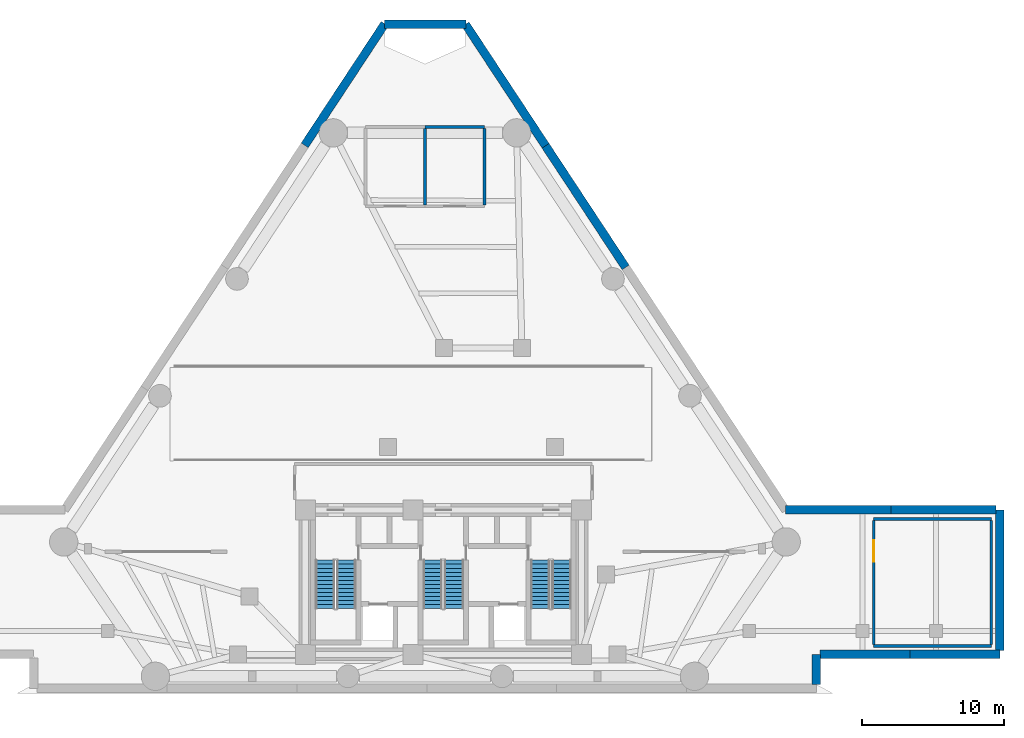
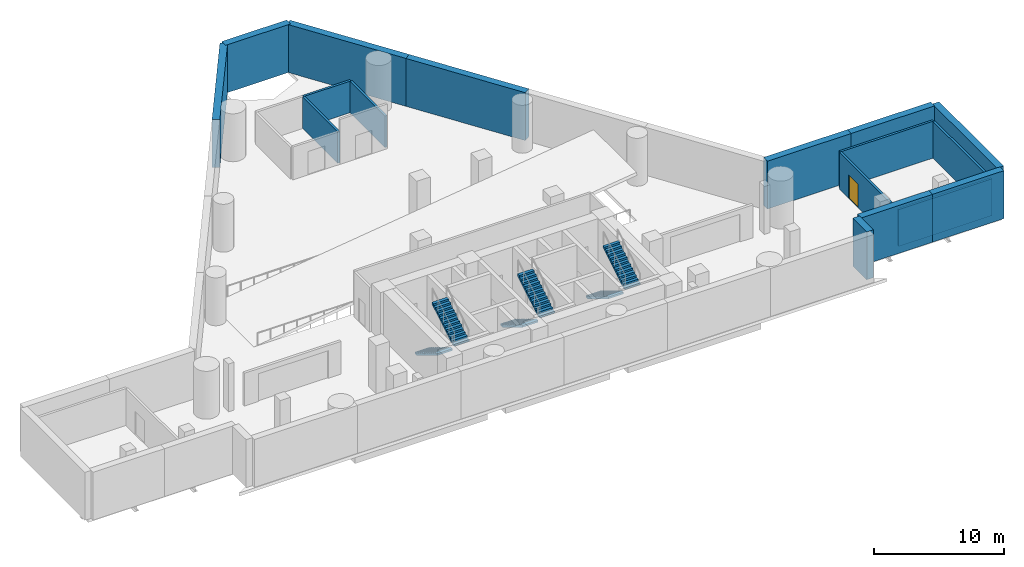
# One storey, part 4 of 6: 17 walls, 6 stair flights, 1 door, 1 opening, 3 elements without a shape of their own.
"""IFC4 building model written with IfcOpenShell, lengths in metres."""

from ifc_helpers import new_model, si_unit, direction, frame, frame_2d, origin, place, context, subcontext, project, spatial, polyline, rectangle, outline, extrude, material, layer, layer_set, type_object, element, fill, aggregate, save


model = new_model("IFC4")

# Units and contexts
model_context = context("Model", 3, precision=1e-05, world=origin(), true_north=direction((0.0, 1.0)))
body_context = subcontext(model_context, "Body", "Model", "MODEL_VIEW")
ifc_project = project(units=[si_unit("LENGTHUNIT", "METRE"), si_unit("AREAUNIT", "SQUARE_METRE"), si_unit("VOLUMEUNIT", "CUBIC_METRE"), si_unit("PLANEANGLEUNIT", "RADIAN"), si_unit("MASSUNIT", "GRAM", prefix="KILO")], contexts=[model_context])

# Site, building, storey
site_placement = place(None, origin())
site = spatial("IfcSite", under=ifc_project, at=site_placement, CompositionType="ELEMENT")
building_placement = place(site_placement, origin())
building = spatial("IfcBuilding", under=site, at=building_placement, Name="Almagre Mirador Tower", CompositionType="ELEMENT")
storey_placement = place(building_placement, frame((0.0, 0.0, -4.5)))
storey = spatial("IfcBuildingStorey", under=building, at=storey_placement, Name="B01", CompositionType="ELEMENT", Elevation=-4.5)

# Walls
ifc_material_1 = material(Name="Gypsum acoustic stud partition", Category="other")
ifc_layer_1 = layer(ifc_material_1, 0.199951171875)
ifc_layer_set_1 = layer_set([ifc_layer_1], Name="Gypsum acoustic stud partition")
wall_type_1 = type_object("IfcWallType", Name="WAL-PRT-200-EI60", PredefinedType="PARTITIONING", material=ifc_layer_set_1)
for number, where, z_axis, x_axis, name in (
    (1, (67.699951171875, 5.14990234375, 0.0), (0.0, 0.0, 1.0), (1.0, 0.0, 0.0), "B01 East Primary Switchgear Plant Room S fire partition"),
    (2, (67.699951171875, 14.10009765625, 0.0), (0.0, 0.0, 1.0), (1.0, 0.0, 0.0), "B01 East Primary Switchgear Plant Room N fire partition"),
):
    element("IfcWall", number, at=place(storey_placement, frame(where, z_axis=z_axis, x_axis=x_axis)), inside=storey, type_object=wall_type_1, Name=name, PredefinedType="PARTITIONING", context=body_context, shape_type="SweptSolid", body=[
        extrude(rectangle(XDim=8.300048828125, YDim=0.199951171875, at=frame_2d((4.14990234375, 0.0))), origin(), (0.0, 0.0, 1.0), 3.464111328125),
    ])

# Wall, opening, door
wall_1_placement = place(storey_placement, frame((67.699951171875, 5.2548828125, 0.0), z_axis=(0.0, 0.0, 1.0), x_axis=(0.0, 1.0, 0.0)))
wall_1 = element("IfcWall", 3, at=wall_1_placement, inside=storey, type_object=wall_type_1, Name="B01 East Primary Switchgear Plant Room W fire partition", PredefinedType="PARTITIONING", context=body_context, shape_type="SweptSolid", body=[
    extrude(rectangle(XDim=8.740234375, YDim=0.199951171875, at=frame_2d((4.3701171875, 0.0))), origin(), (0.0, 0.0, 1.0), 3.464111328125),
])
opening_placement = place(wall_1_placement, frame((5.844970703125, 0.0, 0.0)))
opening = element("IfcOpeningElement", 4, at=opening_placement, cuts=wall_1, Name="Opening ID-04", PredefinedType="OPENING", context=body_context, shape_type="SweptSolid", body=[
    extrude(rectangle(XDim=1.5, YDim=2.199951171875, at=frame_2d((0.75, 1.10009765625))), frame((0.0, 0.110098, 0.0), z_axis=(0.0, -1.0, 0.0), x_axis=(1.0, 0.0, 0.0)), (0.0, 0.0, 1.0), 0.219951),
])
ifc_material_2 = material(Name="Fire-rated hollow steel", Category="steel")
door_type = type_object("IfcDoorType", Name="DOR-FD60-1500X2200", OperationType="DOUBLE_DOOR_SINGLE_SWING", PredefinedType="DOOR", material=ifc_material_2)
door_placement = place(opening_placement, origin())
door = element("IfcDoor", 5, at=door_placement, inside=storey, type_object=door_type, Name="DR-0019 B01 East Primary Switchgear Plant Room double fire door", OperationType="DOUBLE_DOOR_SINGLE_SWING", OverallHeight=2.199951171875, OverallWidth=1.5, PredefinedType="DOOR", context=body_context, shape_type="SweptSolid", body=[
    extrude(rectangle(XDim=1.5, YDim=2.199951171875, at=frame_2d((0.75, 1.10009765625))), frame((0.0, 0.02490234375, 0.0), z_axis=(0.0, -1.0, 0.0), x_axis=(1.0, 0.0, 0.0)), (0.0, 0.0, 1.0), 0.050048828125),
])
fill(opening, door)

# Walls
wall_2_placement = place(storey_placement, frame((76.0, 5.2548828125, 0.0), z_axis=(0.0, 0.0, 1.0), x_axis=(0.0, 1.0, 0.0)))
element("IfcWall", 6, at=wall_2_placement, inside=storey, type_object=wall_type_1, Name="B01 East Primary Switchgear Plant Room E fire partition", PredefinedType="PARTITIONING", context=body_context, shape_type="SweptSolid", body=[
    extrude(rectangle(XDim=8.740234375, YDim=0.199951171875, at=frame_2d((4.3701171875, 0.0))), origin(), (0.0, 0.0, 1.0), 3.464111328125),
])
wall_3_placement = place(storey_placement, frame((36.0, 36.304931640625, 0.0), z_axis=(0.0, 0.0, 1.0), x_axis=(0.0, 1.0, 0.0)))
element("IfcWall", 7, at=wall_3_placement, inside=storey, type_object=wall_type_1, Name="B01 Main Electrical Substation Room E fire partition", PredefinedType="PARTITIONING", context=body_context, shape_type="SweptSolid", body=[
    extrude(rectangle(XDim=5.39013671875, YDim=0.199951171875, at=frame_2d((2.695068359375, 0.0))), origin(), (0.0, 0.0, 1.0), 2.969970703125),
])
wall_4_placement = place(storey_placement, frame((36.0, 41.800048828125, 0.0), z_axis=(0.0, 0.0, 1.0), x_axis=(1.0, 0.0, 0.0)))
element("IfcWall", 8, at=wall_4_placement, inside=storey, type_object=wall_type_1, Name="B01 Emergency Standby Generator Room N fire partition", PredefinedType="PARTITIONING", context=body_context, shape_type="SweptSolid", body=[
    extrude(rectangle(XDim=4.199951171875, YDim=0.199951171875, at=frame_2d((2.10009765625, 0.0))), origin(), (0.0, 0.0, 1.0), 2.969970703125),
])
wall_5_placement = place(storey_placement, frame((40.199951171875, 36.304931640625, 0.0), z_axis=(0.0, 0.0, 1.0), x_axis=(0.0, 1.0, 0.0)))
element("IfcWall", 9, at=wall_5_placement, inside=storey, type_object=wall_type_1, Name="B01 Emergency Standby Generator Room E fire partition", PredefinedType="PARTITIONING", context=body_context, shape_type="SweptSolid", body=[
    extrude(rectangle(XDim=5.39013671875, YDim=0.199951171875, at=frame_2d((2.695068359375, 0.0))), origin(), (0.0, 0.0, 1.0), 2.969970703125),
])
ifc_material_3 = material(Name="Concrete C50/60", Category="concrete")
ifc_layer_2 = layer(ifc_material_3, 0.60009765625)
ifc_layer_set_2 = layer_set([ifc_layer_2], Name="Concrete C50/60")
wall_type_2 = type_object("IfcWallType", Name="WAL-RET-600", PredefinedType="USERDEFINED", material=ifc_layer_set_2)
wall_6_placement = place(storey_placement, frame((33.160888671875, 49.09130859375, 0.0), z_axis=(0.0, 0.0, 1.0), x_axis=(-0.550215159777, -0.835022920614, 0.0)))
element("IfcWall", 10, at=wall_6_placement, inside=storey, type_object=wall_type_2, Name="B01 perimeter retaining wall 01.1", ObjectType="RETAININGWALL", PredefinedType="USERDEFINED", context=body_context, shape_type="SweptSolid", body=[
    extrude(rectangle(XDim=10.281494140625, YDim=0.60009765625, at=frame_2d((5.140625, 0.0))), origin(), (0.0, 0.0, 1.0), 4.5),
])
wall_7_placement = place(storey_placement, frame((63.64794921875, 2.409912109375, 0.0), z_axis=(0.0, 0.0, 1.0), x_axis=(0.0, 1.0, 0.0)))
element("IfcWall", 11, at=wall_7_placement, inside=storey, type_object=wall_type_2, Name="B01 perimeter retaining wall 07.1", ObjectType="RETAININGWALL", PredefinedType="USERDEFINED", context=body_context, shape_type="SweptSolid", body=[
    extrude(rectangle(XDim=2.14013671875, YDim=0.60009765625, at=frame_2d((1.070068359375, 0.0))), origin(), (0.0, 0.0, 1.0), 4.5),
])
wall_8_placement = place(storey_placement, frame((63.907958984375, 4.550048828125, 0.0), z_axis=(0.0, 0.0, 1.0), x_axis=(1.0, 0.0, 0.0)))
element("IfcWall", 12, at=wall_8_placement, inside=storey, type_object=wall_type_2, Name="B01 perimeter retaining wall 08.1", ObjectType="RETAININGWALL", PredefinedType="USERDEFINED", context=body_context, shape_type="SweptSolid", body=[
    extrude(rectangle(XDim=6.345947265625, YDim=0.60009765625, at=frame_2d((3.1728515625, 0.0))), origin(), (0.0, 0.0, 1.0), 4.5),
])
wall_9_placement = place(storey_placement, frame((70.25390625, 4.550048828125, 0.0), z_axis=(0.0, 0.0, 1.0), x_axis=(1.0, 0.0, 0.0)))
element("IfcWall", 13, at=wall_9_placement, inside=storey, type_object=wall_type_2, Name="B01 perimeter retaining wall 08.2", ObjectType="RETAININGWALL", PredefinedType="USERDEFINED", context=body_context, shape_type="SweptSolid", body=[
    extrude(rectangle(XDim=6.34619140625, YDim=0.60009765625, at=frame_2d((3.173095703125, 0.0))), origin(), (0.0, 0.0, 1.0), 4.5),
])
wall_10_placement = place(storey_placement, frame((76.60009765625, 4.81005859375, 0.0), z_axis=(0.0, 0.0, 1.0), x_axis=(0.0, 1.0, 0.0)))
element("IfcWall", 14, at=wall_10_placement, inside=storey, type_object=wall_type_2, Name="B01 perimeter retaining wall 09.1", ObjectType="RETAININGWALL", PredefinedType="USERDEFINED", context=body_context, shape_type="SweptSolid", body=[
    extrude(rectangle(XDim=9.93994140625, YDim=0.60009765625, at=frame_2d((4.969970703125, 0.0))), origin(), (0.0, 0.0, 1.0), 4.5),
])
for number, where, z_axis, x_axis, name in (
    (15, (76.340087890625, 14.75, 0.0), (0.0, 0.0, 1.0), (-1.0, 0.0, 0.0), "B01 perimeter retaining wall 10.1"),
    (16, (68.903564453125, 14.75, 0.0), (0.0, 0.0, 1.0), (-1.0, 0.0, 0.0), "B01 perimeter retaining wall 10.2"),
):
    element("IfcWall", number, at=place(storey_placement, frame(where, z_axis=z_axis, x_axis=x_axis)), inside=storey, type_object=wall_type_2, Name=name, ObjectType="RETAININGWALL", PredefinedType="USERDEFINED", context=body_context, shape_type="SweptSolid", body=[
        extrude(rectangle(XDim=7.4365234375, YDim=0.60009765625, at=frame_2d((3.71826171875, 0.0))), origin(), (0.0, 0.0, 1.0), 4.5),
    ])
for number, where, z_axis, x_axis, name in (
    (17, (50.175048828125, 31.88720703125, 0.0), (0.0, 0.0, 1.0), (-0.550204250098, 0.835030109142, 0.0), "B01 perimeter retaining wall 11.3"),
    (18, (44.51806640625, 40.47265625, 0.0), (0.0, 0.0, 1.0), (-0.550204250098, 0.835030109142, 0.0), "B01 perimeter retaining wall 11.4"),
):
    element("IfcWall", number, at=place(storey_placement, frame(where, z_axis=z_axis, x_axis=x_axis)), inside=storey, type_object=wall_type_2, Name=name, ObjectType="RETAININGWALL", PredefinedType="USERDEFINED", context=body_context, shape_type="SweptSolid", body=[
        extrude(rectangle(XDim=10.281494140625, YDim=0.60009765625, at=frame_2d((5.140625, 0.0))), origin(), (0.0, 0.0, 1.0), 4.5),
    ])
wall_11_placement = place(storey_placement, frame((38.90087890625, 49.05810546875, 0.0), z_axis=(0.0, 0.0, 1.0), x_axis=(-1.0, 0.0, 0.0)))
element("IfcWall", 19, at=wall_11_placement, inside=storey, type_object=wall_type_2, Name="B01 perimeter retaining wall 12.1", ObjectType="RETAININGWALL", PredefinedType="USERDEFINED", context=body_context, shape_type="SweptSolid", body=[
    extrude(rectangle(XDim=5.761962890625, YDim=0.60009765625, at=frame_2d((2.880859375, 0.0))), origin(), (0.0, 0.0, 1.0), 4.5),
])

# Stair, stair flights
ifc_material_4 = material(Name="Concrete C45/55", Category="concrete")
stair_type = type_object("IfcStairType", Name="STR-DL-4500", PredefinedType="HALF_TURN_STAIR", material=ifc_material_4)
stair_1_placement = place(storey_placement, origin())
stair_1 = element("IfcStair", 20, at=stair_1_placement, inside=storey, type_object=stair_type, Name="B01 Protected exit stair ST-1", PredefinedType="HALF_TURN_STAIR")
ifc_material_5 = material(Name="Concrete C45/55", Category="concrete")
stair_flight_type = type_object("IfcStairFlightType", Name="FLT-DL-4500", PredefinedType="STRAIGHT", material=ifc_material_5)
stair_flight_1_placement = place(storey_placement, frame((28.949951171875, 11.199951171875, 0.0), z_axis=(0.0, 0.0, 1.0), x_axis=(0.0, -1.0, 0.0)))
stair_flight_1 = element("IfcStairFlight", 21, at=stair_flight_1_placement, type_object=stair_flight_type, Name="ST-1 flight 1", NumberOfRisers=13, NumberOfTreads=12, PredefinedType="STRAIGHT", RiserHeight=0.173076923, TreadLength=0.285, context=body_context, shape_type="SweptSolid", body=[
    extrude(outline(polyline([(0.0, 0.0), (0.0, 0.173095703125), (0.284912109375, 0.173095703125), (0.284912109375, 0.34619140625), (0.570068359375, 0.34619140625), (0.570068359375, 0.519287109375), (0.85498046875, 0.519287109375), (0.85498046875, 0.6923828125), (1.139892578125, 0.6923828125), (1.139892578125, 0.865478515625), (1.425048828125, 0.865478515625), (1.425048828125, 1.03857421875), (1.7099609375, 1.03857421875), (1.7099609375, 1.21142578125), (1.9951171875, 1.21142578125), (1.9951171875, 1.384521484375), (2.280029296875, 1.384521484375), (2.280029296875, 1.5576171875), (2.56494140625, 1.5576171875), (2.56494140625, 1.730712890625), (2.85009765625, 1.730712890625), (2.85009765625, 1.90380859375), (3.135009765625, 1.90380859375), (3.135009765625, 2.076904296875), (3.419921875, 2.076904296875), (3.419921875, 2.25), (3.419921875, 1.901611328125), (0.288818359375, 0.0), (0.0, 0.0)])), frame((0.0, 0.675048828125, 0.0), z_axis=(0.0, -1.0, 0.0), x_axis=(1.0, 0.0, 0.0)), (0.0, 0.0, 1.0), 1.35009765625),
])
stair_flight_2_placement = place(storey_placement, frame((30.449951171875, 7.780029296875, 2.25), z_axis=(0.0, 0.0, 1.0), x_axis=(0.0, 1.0, 0.0)))
stair_flight_2 = element("IfcStairFlight", 22, at=stair_flight_2_placement, type_object=stair_flight_type, Name="ST-1 flight 2", NumberOfRisers=13, NumberOfTreads=12, PredefinedType="STRAIGHT", RiserHeight=0.173076923, TreadLength=0.285, context=body_context, shape_type="SweptSolid", body=[
    extrude(outline(polyline([(0.0, 0.0), (0.0, 0.173095703125), (0.284912109375, 0.173095703125), (0.284912109375, 0.34619140625), (0.570068359375, 0.34619140625), (0.570068359375, 0.519287109375), (0.85498046875, 0.519287109375), (0.85498046875, 0.6923828125), (1.139892578125, 0.6923828125), (1.139892578125, 0.865478515625), (1.425048828125, 0.865478515625), (1.425048828125, 1.03857421875), (1.7099609375, 1.03857421875), (1.7099609375, 1.21142578125), (1.9951171875, 1.21142578125), (1.9951171875, 1.384521484375), (2.280029296875, 1.384521484375), (2.280029296875, 1.5576171875), (2.56494140625, 1.5576171875), (2.56494140625, 1.730712890625), (2.85009765625, 1.730712890625), (2.85009765625, 1.90380859375), (3.135009765625, 1.90380859375), (3.135009765625, 2.076904296875), (3.419921875, 2.076904296875), (3.419921875, 2.25), (3.419921875, 1.901611328125), (0.288818359375, 0.0), (0.0, 0.0)])), frame((0.0, 0.675048828125, 0.0), z_axis=(0.0, -1.0, 0.0), x_axis=(1.0, 0.0, 0.0)), (0.0, 0.0, 1.0), 1.35009765625),
])
aggregate(stair_1, [stair_flight_1, stair_flight_2])

stair_2_placement = place(storey_placement, origin())
stair_2 = element("IfcStair", 23, at=stair_2_placement, inside=storey, type_object=stair_type, Name="B01 Protected exit stair ST-2", PredefinedType="HALF_TURN_STAIR")
stair_flight_3_placement = place(storey_placement, frame((36.550048828125, 11.199951171875, 0.0), z_axis=(0.0, 0.0, 1.0), x_axis=(0.0, -1.0, 0.0)))
stair_flight_3 = element("IfcStairFlight", 24, at=stair_flight_3_placement, type_object=stair_flight_type, Name="ST-2 flight 1", NumberOfRisers=13, NumberOfTreads=12, PredefinedType="STRAIGHT", RiserHeight=0.173076923, TreadLength=0.285, context=body_context, shape_type="SweptSolid", body=[
    extrude(outline(polyline([(0.0, 0.0), (0.0, 0.173095703125), (0.284912109375, 0.173095703125), (0.284912109375, 0.34619140625), (0.570068359375, 0.34619140625), (0.570068359375, 0.519287109375), (0.85498046875, 0.519287109375), (0.85498046875, 0.6923828125), (1.139892578125, 0.6923828125), (1.139892578125, 0.865478515625), (1.425048828125, 0.865478515625), (1.425048828125, 1.03857421875), (1.7099609375, 1.03857421875), (1.7099609375, 1.21142578125), (1.9951171875, 1.21142578125), (1.9951171875, 1.384521484375), (2.280029296875, 1.384521484375), (2.280029296875, 1.5576171875), (2.56494140625, 1.5576171875), (2.56494140625, 1.730712890625), (2.85009765625, 1.730712890625), (2.85009765625, 1.90380859375), (3.135009765625, 1.90380859375), (3.135009765625, 2.076904296875), (3.419921875, 2.076904296875), (3.419921875, 2.25), (3.419921875, 1.901611328125), (0.288818359375, 0.0), (0.0, 0.0)])), frame((0.0, 0.675048828125, 0.0), z_axis=(0.0, -1.0, 0.0), x_axis=(1.0, 0.0, 0.0)), (0.0, 0.0, 1.0), 1.35009765625),
])
stair_flight_4_placement = place(storey_placement, frame((38.050048828125, 7.780029296875, 2.25), z_axis=(0.0, 0.0, 1.0), x_axis=(0.0, 1.0, 0.0)))
stair_flight_4 = element("IfcStairFlight", 25, at=stair_flight_4_placement, type_object=stair_flight_type, Name="ST-2 flight 2", NumberOfRisers=13, NumberOfTreads=12, PredefinedType="STRAIGHT", RiserHeight=0.173076923, TreadLength=0.285, context=body_context, shape_type="SweptSolid", body=[
    extrude(outline(polyline([(0.0, 0.0), (0.0, 0.173095703125), (0.284912109375, 0.173095703125), (0.284912109375, 0.34619140625), (0.570068359375, 0.34619140625), (0.570068359375, 0.519287109375), (0.85498046875, 0.519287109375), (0.85498046875, 0.6923828125), (1.139892578125, 0.6923828125), (1.139892578125, 0.865478515625), (1.425048828125, 0.865478515625), (1.425048828125, 1.03857421875), (1.7099609375, 1.03857421875), (1.7099609375, 1.21142578125), (1.9951171875, 1.21142578125), (1.9951171875, 1.384521484375), (2.280029296875, 1.384521484375), (2.280029296875, 1.5576171875), (2.56494140625, 1.5576171875), (2.56494140625, 1.730712890625), (2.85009765625, 1.730712890625), (2.85009765625, 1.90380859375), (3.135009765625, 1.90380859375), (3.135009765625, 2.076904296875), (3.419921875, 2.076904296875), (3.419921875, 2.25), (3.419921875, 1.901611328125), (0.288818359375, 0.0), (0.0, 0.0)])), frame((0.0, 0.675048828125, 0.0), z_axis=(0.0, -1.0, 0.0), x_axis=(1.0, 0.0, 0.0)), (0.0, 0.0, 1.0), 1.35009765625),
])
aggregate(stair_2, [stair_flight_3, stair_flight_4])

stair_3_placement = place(storey_placement, origin())
stair_3 = element("IfcStair", 26, at=stair_3_placement, inside=storey, type_object=stair_type, Name="B01 Protected exit stair ST-3", PredefinedType="HALF_TURN_STAIR")
stair_flight_5_placement = place(storey_placement, frame((44.14990234375, 11.199951171875, 0.0), z_axis=(0.0, 0.0, 1.0), x_axis=(0.0, -1.0, 0.0)))
stair_flight_5 = element("IfcStairFlight", 27, at=stair_flight_5_placement, type_object=stair_flight_type, Name="ST-3 flight 1", NumberOfRisers=13, NumberOfTreads=12, PredefinedType="STRAIGHT", RiserHeight=0.173076923, TreadLength=0.285, context=body_context, shape_type="SweptSolid", body=[
    extrude(outline(polyline([(0.0, 0.0), (0.0, 0.173095703125), (0.284912109375, 0.173095703125), (0.284912109375, 0.34619140625), (0.570068359375, 0.34619140625), (0.570068359375, 0.519287109375), (0.85498046875, 0.519287109375), (0.85498046875, 0.6923828125), (1.139892578125, 0.6923828125), (1.139892578125, 0.865478515625), (1.425048828125, 0.865478515625), (1.425048828125, 1.03857421875), (1.7099609375, 1.03857421875), (1.7099609375, 1.21142578125), (1.9951171875, 1.21142578125), (1.9951171875, 1.384521484375), (2.280029296875, 1.384521484375), (2.280029296875, 1.5576171875), (2.56494140625, 1.5576171875), (2.56494140625, 1.730712890625), (2.85009765625, 1.730712890625), (2.85009765625, 1.90380859375), (3.135009765625, 1.90380859375), (3.135009765625, 2.076904296875), (3.419921875, 2.076904296875), (3.419921875, 2.25), (3.419921875, 1.901611328125), (0.288818359375, 0.0), (0.0, 0.0)])), frame((0.0, 0.675048828125, 0.0), z_axis=(0.0, -1.0, 0.0), x_axis=(1.0, 0.0, 0.0)), (0.0, 0.0, 1.0), 1.35009765625),
])
stair_flight_6_placement = place(storey_placement, frame((45.64990234375, 7.780029296875, 2.25), z_axis=(0.0, 0.0, 1.0), x_axis=(0.0, 1.0, 0.0)))
stair_flight_6 = element("IfcStairFlight", 28, at=stair_flight_6_placement, type_object=stair_flight_type, Name="ST-3 flight 2", NumberOfRisers=13, NumberOfTreads=12, PredefinedType="STRAIGHT", RiserHeight=0.173076923, TreadLength=0.285, context=body_context, shape_type="SweptSolid", body=[
    extrude(outline(polyline([(0.0, 0.0), (0.0, 0.173095703125), (0.284912109375, 0.173095703125), (0.284912109375, 0.34619140625), (0.570068359375, 0.34619140625), (0.570068359375, 0.519287109375), (0.85498046875, 0.519287109375), (0.85498046875, 0.6923828125), (1.139892578125, 0.6923828125), (1.139892578125, 0.865478515625), (1.425048828125, 0.865478515625), (1.425048828125, 1.03857421875), (1.7099609375, 1.03857421875), (1.7099609375, 1.21142578125), (1.9951171875, 1.21142578125), (1.9951171875, 1.384521484375), (2.280029296875, 1.384521484375), (2.280029296875, 1.5576171875), (2.56494140625, 1.5576171875), (2.56494140625, 1.730712890625), (2.85009765625, 1.730712890625), (2.85009765625, 1.90380859375), (3.135009765625, 1.90380859375), (3.135009765625, 2.076904296875), (3.419921875, 2.076904296875), (3.419921875, 2.25), (3.419921875, 1.901611328125), (0.288818359375, 0.0), (0.0, 0.0)])), frame((0.0, 0.675048828125, 0.0), z_axis=(0.0, -1.0, 0.0), x_axis=(1.0, 0.0, 0.0)), (0.0, 0.0, 1.0), 1.35009765625),
])
aggregate(stair_3, [stair_flight_5, stair_flight_6])

save(model, "model.ifc")
